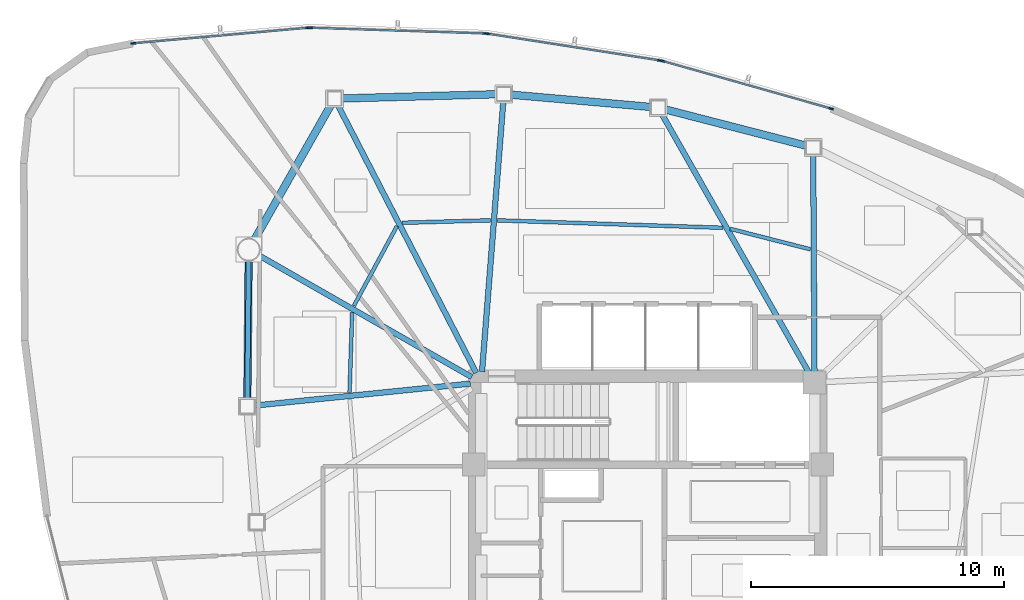
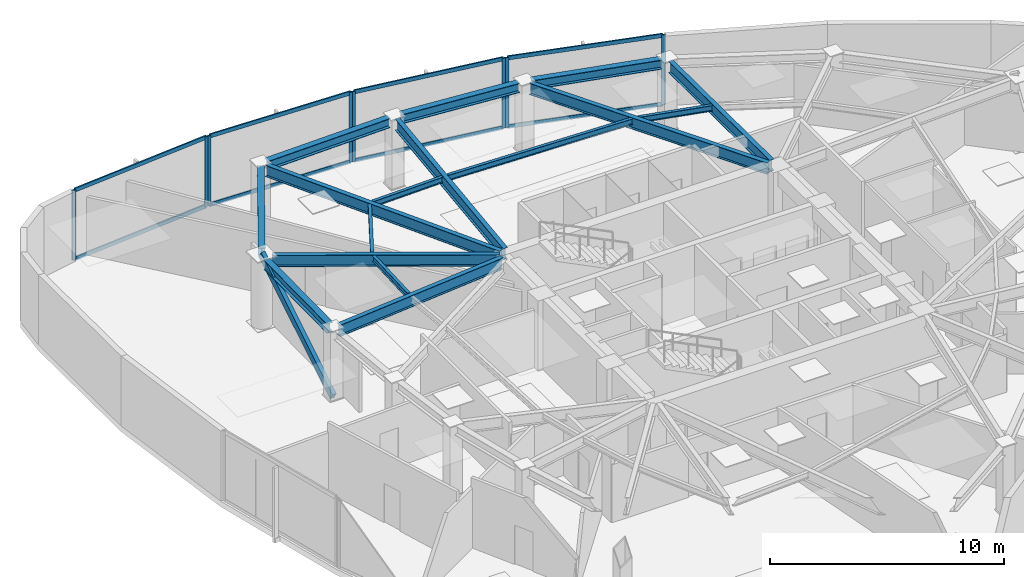
# One storey, part 6 of 13: 17 members, 16 beams, 4 elements without a shape of their own.
"""IFC4 building model written with IfcOpenShell, lengths in metres."""

import ifcopenshell
import ifcopenshell.guid

model = None  # the IFC model being written
_history = None  # IfcOwnerHistory: only IFC2X3 demands one
_inside = {}  # id of a spatial element -> (the spatial element, [elements in it])
_under = {}  # id of a project, library or spatial element -> (it, [spatial elements below it])
_declared = {}  # id of a project -> (the project, [libraries it declares])
_typed = {}  # id of a type object -> (the type object, [elements of that type])
_made_of = {}  # id of a material, layer set ... -> (it, [elements and type objects made of it])


def new_model(schema):
    """Start an empty IFC model of exactly this schema.

    Asked for "IFC4X3", IfcOpenShell would pick the latest addendum, in which some entities
    have other attributes; the version numbers below select the first issue.
    IFC2X3 requires an IfcOwnerHistory on every rooted entity: one is made here for all.
    """
    global model, _history
    if schema == "IFC4X3":
        model = ifcopenshell.file(schema_version=(4, 3, 0, 0))
    else:
        model = ifcopenshell.file(schema=schema)
    _inside.clear()
    _under.clear()
    _declared.clear()
    _typed.clear()
    _made_of.clear()
    _history = None
    if model.schema == "IFC2X3":
        org = make("IfcOrganization", Name="unknown")
        user = make(
            "IfcPersonAndOrganization",
            ThePerson=make("IfcPerson", FamilyName="unknown"),
            TheOrganization=org,
        )
        app = make(
            "IfcApplication",
            ApplicationDeveloper=org,
            Version="unknown",
            ApplicationFullName="unknown",
            ApplicationIdentifier="unknown",
        )
        _history = make(
            "IfcOwnerHistory",
            OwningUser=user,
            OwningApplication=app,
            ChangeAction="ADDED",
            CreationDate=0,
        )
    return model


def make(cls, **values):
    """One entity of the class cls with the attributes given. An attribute that is None is left unset."""
    return model.create_entity(
        cls, **{name: value for name, value in values.items() if value is not None}
    )


def rooted(cls, **values):
    """An entity with a GlobalId (a new one), such as an element, a storey or a relation."""
    return make(cls, GlobalId=ifcopenshell.guid.new(), OwnerHistory=_history, **values)


def si_unit(unit_type, name, prefix=None):
    """IfcSIUnit, for example si_unit("LENGTHUNIT", "METRE", prefix="MILLI")."""
    return make("IfcSIUnit", UnitType=unit_type, Prefix=prefix, Name=name)


def assignment(units):
    """IfcUnitAssignment: the units of a project."""
    return None if units is None else make("IfcUnitAssignment", Units=units)


def point(xyz):
    """IfcCartesianPoint."""
    return None if xyz is None else make("IfcCartesianPoint", Coordinates=xyz)


def direction(xyz):
    """IfcDirection."""
    return None if xyz is None else make("IfcDirection", DirectionRatios=xyz)


def frame(location, z_axis=None, x_axis=None):
    """IfcAxis2Placement3D, a coordinate frame: its origin and axes. An axis left out is left unset."""
    return make(
        "IfcAxis2Placement3D",
        Location=point(location),
        Axis=direction(z_axis),
        RefDirection=direction(x_axis),
    )


def frame_2d(location, x_axis=None):
    """IfcAxis2Placement2D, a coordinate frame in the plane: its origin and x axis."""
    return make(
        "IfcAxis2Placement2D", Location=point(location), RefDirection=direction(x_axis)
    )


def origin():
    """The frame at (0, 0, 0) with its axes left unset."""
    return frame((0.0, 0.0, 0.0))


def origin_2d():
    """The frame at (0, 0) in the plane with its x axis left unset."""
    return frame_2d((0.0, 0.0))


def place(relative_to, where):
    """IfcLocalPlacement: puts the frame where relative to a parent placement (None: the world)."""
    return make(
        "IfcLocalPlacement", PlacementRelTo=relative_to, RelativePlacement=where
    )


def context(
    kind, dimensions, precision=None, world=None, true_north=None, identifier=None
):
    """IfcGeometricRepresentationContext, for example the 3D "Model" context."""
    return make(
        "IfcGeometricRepresentationContext",
        ContextIdentifier=identifier,
        ContextType=kind,
        CoordinateSpaceDimension=dimensions,
        Precision=precision,
        WorldCoordinateSystem=world,
        TrueNorth=true_north,
    )


def subcontext(parent, identifier, kind, view, scale=None):
    """IfcGeometricRepresentationSubContext, for example "Body" below "Model"."""
    return make(
        "IfcGeometricRepresentationSubContext",
        ContextIdentifier=identifier,
        ContextType=kind,
        ParentContext=parent,
        TargetScale=scale,
        TargetView=view,
    )


def project(units=None, contexts=None):
    """IfcProject with its units and contexts."""
    return rooted(
        "IfcProject",
        Name="project",
        RepresentationContexts=contexts,
        UnitsInContext=assignment(units),
    )


def spatial(cls, under=None, at=None, **own):
    """A site, building, storey or space (cls), placed at a placement, below another one or the project."""
    s = rooted(cls, ObjectPlacement=at, **own)
    if under is not None:
        _under.setdefault(under.id(), (under, []))[1].append(s)
    return s


def profile(cls, at=None, kind="AREA", **sizes):
    """A parametric profile (cls). Its sizes go by their IFC names, for example OverallWidth=200.0."""
    return make(cls, ProfileType=kind, Position=at, **sizes)


def hollow_rectangle(**sizes):
    """IfcRectangleHollowProfileDef."""
    return profile("IfcRectangleHollowProfileDef", **sizes)


def i_section(**sizes):
    """IfcIShapeProfileDef."""
    return profile("IfcIShapeProfileDef", **sizes)


def extrude(swept, where, along, depth):
    """IfcExtrudedAreaSolid: the profile swept, set in the frame where, extruded along a direction by depth."""
    return make(
        "IfcExtrudedAreaSolid",
        SweptArea=swept,
        Position=where,
        ExtrudedDirection=direction(along),
        Depth=depth,
    )


def shape(context_of_items, identifier, shape_type, items):
    """IfcShapeRepresentation: the items that make up one representation, for example the "Body"."""
    return make(
        "IfcShapeRepresentation",
        ContextOfItems=context_of_items,
        RepresentationIdentifier=identifier,
        RepresentationType=shape_type,
        Items=items,
    )


def source(mapping_origin, context_of_items, identifier, shape_type, items):
    """IfcRepresentationMap: a shape defined once, which mapped items show again and again."""
    return make(
        "IfcRepresentationMap",
        MappingOrigin=mapping_origin,
        MappedRepresentation=shape(context_of_items, identifier, shape_type, items),
    )


def transform(
    local_origin,
    x_axis=None,
    y_axis=None,
    z_axis=None,
    scale=None,
    scale2=None,
    scale3=None,
    uniform=True,
):
    """IfcCartesianTransformationOperator3D, or its non-uniform kind. x_axis, y_axis, z_axis: its Axis1, 2, 3."""
    if uniform:
        return make(
            "IfcCartesianTransformationOperator3D",
            Axis1=direction(x_axis),
            Axis2=direction(y_axis),
            LocalOrigin=point(local_origin),
            Scale=scale,
            Axis3=direction(z_axis),
        )
    return make(
        "IfcCartesianTransformationOperator3DnonUniform",
        Axis1=direction(x_axis),
        Axis2=direction(y_axis),
        LocalOrigin=point(local_origin),
        Scale=scale,
        Axis3=direction(z_axis),
        Scale2=scale2,
        Scale3=scale3,
    )


def mapped(mapping_source, mapping_target):
    """IfcMappedItem: shows the shape of a source again, moved by a transform."""
    return make(
        "IfcMappedItem", MappingSource=mapping_source, MappingTarget=mapping_target
    )


def material(Name=None, Category=None):
    """IfcMaterial."""
    return make("IfcMaterial", Name=Name, Category=Category)


def layer(
    of_material, thickness, ventilated=None, Name=None, Category=None, Priority=None
):
    """IfcMaterialLayer: one layer of a wall or slab, of a material (None: an air gap)."""
    return make(
        "IfcMaterialLayer",
        Material=of_material,
        LayerThickness=thickness,
        IsVentilated=ventilated,
        Name=Name,
        Category=Category,
        Priority=Priority,
    )


def layer_set(layers, Name=None):
    """IfcMaterialLayerSet."""
    return make("IfcMaterialLayerSet", MaterialLayers=layers, LayerSetName=Name)


def material_profile(
    of_material, cross_section, Name=None, Category=None, Priority=None
):
    """IfcMaterialProfile: a cross section and its material."""
    return make(
        "IfcMaterialProfile",
        Name=Name,
        Material=of_material,
        Profile=cross_section,
        Priority=Priority,
        Category=Category,
    )


def profile_set(profiles, Name=None, composite=None):
    """IfcMaterialProfileSet."""
    return make(
        "IfcMaterialProfileSet",
        Name=Name,
        MaterialProfiles=profiles,
        CompositeProfile=composite,
    )


def made_of(thing, what):
    """Note that an element or type object is made of a material, layer set ...; save() writes the relation."""
    if what is not None:
        _made_of.setdefault(what.id(), (what, []))[1].append(thing)
    return thing


def type_object(cls, material=None, **own):
    """A type object (cls), such as IfcWallType, which elements share."""
    return made_of(rooted(cls, **own), material)


def type_shapes(of_type, sources):
    """Give a type object the sources (RepresentationMaps) that its elements show as mapped items."""
    of_type.RepresentationMaps = sources


def element(
    cls,
    number,
    at=None,
    inside=None,
    cuts=None,
    type_object=None,
    material=None,
    context=None,
    identifier="Body",
    shape_type=None,
    held_by="IfcProductDefinitionShape",
    body=None,
    shapes=None,
    **own,
):
    """One element of the class cls, such as IfcWall. Its Tag is "e" and its number.

    at: its placement. inside: the storey or other place that contains it. cuts: it is an
    opening in that element (IfcRelVoidsElement). A single representation is given by context,
    identifier, shape_type and body (its items); several are given by shapes. held_by: the class
    of the entity that holds the representations. save() writes the other relations.
    """
    e = rooted(cls, Tag="e%d" % number, ObjectPlacement=at, **own)
    if body is not None:
        shapes = [shape(context, identifier, shape_type, body)]
    if shapes is not None:
        e.Representation = make(held_by, Representations=shapes)
    if inside is not None:
        _inside.setdefault(inside.id(), (inside, []))[1].append(e)
    if cuts is not None:
        rooted(
            "IfcRelVoidsElement", RelatingBuildingElement=cuts, RelatedOpeningElement=e
        )
    if type_object is not None:
        _typed.setdefault(type_object.id(), (type_object, []))[1].append(e)
    return made_of(e, material)


def aggregate(whole, parts):
    """IfcRelAggregates: a whole, such as a stair, and the parts it consists of."""
    return rooted("IfcRelAggregates", RelatingObject=whole, RelatedObjects=parts)


def save(model, path):
    """Write the relations noted so far, then the file.

    IfcRelAggregates (storeys below a building ...), IfcRelContainedInSpatialStructure (elements
    in a storey), IfcRelDefinesByType, IfcRelAssociatesMaterial and IfcRelDeclares: one each for
    every whole, place, type object, material and project.
    """
    for whole, parts in _under.values():
        aggregate(whole, parts)
    for where, things in _inside.values():
        rooted(
            "IfcRelContainedInSpatialStructure",
            RelatedElements=things,
            RelatingStructure=where,
        )
    for kind, things in _typed.values():
        rooted("IfcRelDefinesByType", RelatedObjects=things, RelatingType=kind)
    for what, things in _made_of.values():
        rooted("IfcRelAssociatesMaterial", RelatedObjects=things, RelatingMaterial=what)
    for by, libraries in _declared.values():
        rooted("IfcRelDeclares", RelatingContext=by, RelatedDefinitions=libraries)
    model.write(path)


model = new_model("IFC4")

# Units and contexts
model_context = context("Model", 3, precision=1e-05, world=origin(), true_north=direction((0.0, 1.0)))
body_context = subcontext(model_context, "Body", "Model", "MODEL_VIEW")
ifc_project = project(units=[si_unit("LENGTHUNIT", "METRE"), si_unit("AREAUNIT", "SQUARE_METRE"), si_unit("VOLUMEUNIT", "CUBIC_METRE"), si_unit("PLANEANGLEUNIT", "RADIAN"), si_unit("MASSUNIT", "GRAM", prefix="KILO")], contexts=[model_context])

# Site, building, storey
site_placement = place(None, origin())
site = spatial("IfcSite", under=ifc_project, at=site_placement, CompositionType="ELEMENT")
building_placement = place(site_placement, origin())
building = spatial("IfcBuilding", under=site, at=building_placement, Name="Tavelor Broadcast Tower", CompositionType="ELEMENT")
storey_placement = place(building_placement, frame((0.0, 0.0, 241.89990234375)))
storey = spatial("IfcBuildingStorey", under=building, at=storey_placement, Name="L57", CompositionType="ELEMENT", Elevation=241.89990234375)

# Beams
ifc_material_1 = material(Name="Steel S355", Category="steel")
ifc_material_profile_1 = material_profile(ifc_material_1, i_section(OverallWidth=0.14990234375, OverallDepth=0.300048828125, WebThickness=0.007080078125, FlangeThickness=0.0107421875, at=origin_2d()), Name="IPE 300")
ifc_profile_set_1 = profile_set([ifc_material_profile_1], Name="Steel S355")
beam_type_1 = type_object("IfcBeamType", Name="Composite Floor Joist T5 IPE 300", PredefinedType="JOIST", material=ifc_profile_set_1)
beam_1_placement = place(storey_placement, frame((38.289794921875, 53.978515625, 3.5), z_axis=(-0.031859396157, -0.999492360589, 0.0), x_axis=(0.999492360589, -0.031859396157, 0.0)))
element("IfcBeam", 1, at=beam_1_placement, inside=storey, type_object=beam_type_1, Name="L57 Secondary Composite Floor Joist 01", PredefinedType="JOIST", context=body_context, shape_type="SweptSolid", body=[
    extrude(i_section(OverallWidth=0.14990234375, OverallDepth=0.300048828125, WebThickness=0.007080078125, FlangeThickness=0.0107421875, at=origin_2d()), origin(), (0.0, 0.0, 1.0), 3.172607421875),
])
beam_2_placement = place(storey_placement, frame((56.434326171875, 56.4736328125, 3.5), z_axis=(-0.968901023903, 0.247448592399, 0.0), x_axis=(-0.247448592399, -0.968901023903, 0.0)))
element("IfcBeam", 2, at=beam_2_placement, inside=storey, type_object=beam_type_1, Name="L57 Secondary Composite Floor Joist 15", PredefinedType="JOIST", context=body_context, shape_type="SweptSolid", body=[
    extrude(i_section(OverallWidth=0.14990234375, OverallDepth=0.300048828125, WebThickness=0.007080078125, FlangeThickness=0.0107421875, at=origin_2d()), origin(), (0.0, 0.0, 1.0), 3.283447265625),
])
beam_3_placement = place(storey_placement, frame((52.978515625, 57.3251953125, 3.5), z_axis=(-0.999455526468, 0.032994705837, 0.0), x_axis=(-0.032994705837, -0.999455526468, 0.0)))
element("IfcBeam", 3, at=beam_3_placement, inside=storey, type_object=beam_type_1, Name="L57 Secondary Composite Floor Joist 16", PredefinedType="JOIST", context=body_context, shape_type="SweptSolid", body=[
    extrude(i_section(OverallWidth=0.14990234375, OverallDepth=0.300048828125, WebThickness=0.007080078125, FlangeThickness=0.0107421875, at=origin_2d()), origin(), (0.0, 0.0, 1.0), 8.9384765625),
])
beam_4_placement = place(storey_placement, frame((43.76611328125, 57.620849609375, 3.5), z_axis=(-0.999611398275, -0.027875660324, 0.0), x_axis=(0.027875660324, -0.999611398275, 0.0)))
element("IfcBeam", 4, at=beam_4_placement, inside=storey, type_object=beam_type_1, Name="L57 Secondary Composite Floor Joist 17", PredefinedType="JOIST", context=body_context, shape_type="SweptSolid", body=[
    extrude(i_section(OverallWidth=0.14990234375, OverallDepth=0.300048828125, WebThickness=0.007080078125, FlangeThickness=0.0107421875, at=origin_2d()), origin(), (0.0, 0.0, 1.0), 3.49462890625),
])
beam_5_placement = place(storey_placement, frame((40.0673828125, 57.39697265625, 3.5), z_axis=(-0.475640833171, -0.879639584046, 0.0), x_axis=(0.879639584046, -0.475640833171, 0.0)))
element("IfcBeam", 5, at=beam_5_placement, inside=storey, type_object=beam_type_1, Name="L57 Secondary Composite Floor Joist 18", PredefinedType="JOIST", context=body_context, shape_type="SweptSolid", body=[
    extrude(i_section(OverallWidth=0.14990234375, OverallDepth=0.300048828125, WebThickness=0.007080078125, FlangeThickness=0.0107421875, at=origin_2d()), origin(), (0.0, 0.0, 1.0), 3.58837890625),
])
ifc_material_profile_2 = material_profile(ifc_material_1, i_section(OverallWidth=0.300048828125, OverallDepth=0.489990234375, WebThickness=0.011962890625, FlangeThickness=0.02294921875, at=origin_2d()), Name="HEA 500")
ifc_profile_set_2 = profile_set([ifc_material_profile_2], Name="Steel S355")
beam_type_2 = type_object("IfcBeamType", Name="Perimeter Spandrel Beam T5 HEA 500", PredefinedType="SPANDREL", material=ifc_profile_set_2)
beam_6_placement = place(storey_placement, frame((34.192138671875, 56.021240234375, 3.405029296875), z_axis=(-0.009538233347, -0.999954510018, 0.0), x_axis=(0.999954510018, -0.009538233347, 0.0)))
element("IfcBeam", 6, at=beam_6_placement, inside=storey, type_object=beam_type_2, Name="L57 Framed-Tube Ring Spandrel 01", PredefinedType="SPANDREL", context=body_context, shape_type="SweptSolid", body=[
    extrude(i_section(OverallWidth=0.300048828125, OverallDepth=0.489990234375, WebThickness=0.011962890625, FlangeThickness=0.02294921875, at=origin_2d()), origin(), (0.0, 0.0, 1.0), 5.4775390625),
])
beam_7_placement = place(storey_placement, frame((56.2666015625, 60.575927734375, 3.405029296875), z_axis=(-0.968398561847, 0.249407749304, 0.0), x_axis=(-0.249407749304, -0.968398561847, 0.0)))
element("IfcBeam", 7, at=beam_7_placement, inside=storey, type_object=beam_type_2, Name="L57 Framed-Tube Ring Spandrel 15", PredefinedType="SPANDREL", context=body_context, shape_type="SweptSolid", body=[
    extrude(i_section(OverallWidth=0.300048828125, OverallDepth=0.489990234375, WebThickness=0.011962890625, FlangeThickness=0.02294921875, at=origin_2d()), origin(), (0.0, 0.0, 1.0), 5.7626953125),
])
beam_8_placement = place(storey_placement, frame((50.120361328125, 62.110107421875, 3.405029296875), z_axis=(-0.996165524703, 0.087488555787, 0.0), x_axis=(-0.087488555787, -0.996165524703, 0.0)))
element("IfcBeam", 8, at=beam_8_placement, inside=storey, type_object=beam_type_2, Name="L57 Framed-Tube Ring Spandrel 16", PredefinedType="SPANDREL", context=body_context, shape_type="SweptSolid", body=[
    extrude(i_section(OverallWidth=0.300048828125, OverallDepth=0.489990234375, WebThickness=0.011962890625, FlangeThickness=0.02294921875, at=origin_2d()), origin(), (0.0, 0.0, 1.0), 5.555908203125),
])
beam_9_placement = place(storey_placement, frame((44.010986328125, 62.613525390625, 3.405029296875), z_axis=(-0.999631563069, -0.027142920174, 0.0), x_axis=(0.027142920174, -0.999631563069, 0.0)))
element("IfcBeam", 9, at=beam_9_placement, inside=storey, type_object=beam_type_2, Name="L57 Framed-Tube Ring Spandrel 17", PredefinedType="SPANDREL", context=body_context, shape_type="SweptSolid", body=[
    extrude(i_section(OverallWidth=0.300048828125, OverallDepth=0.489990234375, WebThickness=0.011962890625, FlangeThickness=0.02294921875, at=origin_2d()), origin(), (0.0, 0.0, 1.0), 6.13427734375),
])
beam_10_placement = place(storey_placement, frame((37.44873046875, 62.188720703125, 3.405029296875), z_axis=(-0.49368262273, -0.869642149401, 0.0), x_axis=(0.869642149401, -0.49368262273, 0.0)))
element("IfcBeam", 10, at=beam_10_placement, inside=storey, type_object=beam_type_2, Name="L57 Framed-Tube Ring Spandrel 18", PredefinedType="SPANDREL", context=body_context, shape_type="SweptSolid", body=[
    extrude(i_section(OverallWidth=0.300048828125, OverallDepth=0.489990234375, WebThickness=0.011962890625, FlangeThickness=0.02294921875, at=origin_2d()), origin(), (0.0, 0.0, 1.0), 6.14892578125),
])

# Member
ifc_material_profile_3 = material_profile(ifc_material_1, hollow_rectangle(XDim=0.199951171875, YDim=0.39990234375, WallThickness=0.01611328125, at=origin_2d()), Name="RHS 400x200x16")
ifc_profile_set_3 = profile_set([ifc_material_profile_3], Name="Steel S355")
member_type_1 = type_object("IfcMemberType", Name="Perimeter Tube Brace T5 RHS 400x200x16", PredefinedType="BRACE", material=ifc_profile_set_3)
member_1_placement = place(storey_placement, frame((34.13720703125, 50.255859375, 0.0), z_axis=(0.008207584485, 0.861864202231, 0.507072709254), x_axis=(-0.999954658748, 0.009522628184, 0.0)))
element("IfcMember", 11, at=member_1_placement, inside=storey, type_object=member_type_1, Name="L57 Corner Tube Diagonal Brace 1", PredefinedType="BRACE", context=body_context, shape_type="SweptSolid", body=[
    extrude(hollow_rectangle(XDim=0.199951171875, YDim=0.39990234375, WallThickness=0.01611328125, at=origin_2d()), origin(), (0.0, 0.0, 1.0), 7.198486328125),
])

# Beams
ifc_material_profile_4 = material_profile(ifc_material_1, i_section(OverallWidth=0.219970703125, OverallDepth=0.60009765625, WebThickness=0.011962890625, FlangeThickness=0.01904296875, at=origin_2d()), Name="IPE 600")
ifc_profile_set_4 = profile_set([ifc_material_profile_4], Name="Steel S355")
beam_type_3 = type_object("IfcBeamType", Name="Radial Floor Girder T5 IPE 600", PredefinedType="BEAM", material=ifc_profile_set_4)
beam_11_placement = place(storey_placement, frame((43.02490234375, 51.414306640625, 3.35009765625), z_axis=(-0.868210713595, 0.496195683979, 0.0), x_axis=(-0.496195683979, -0.868210713595, 0.0)))
element("IfcBeam", 12, at=beam_11_placement, inside=storey, type_object=beam_type_3, Name="L57 Radial Primary Floor Girder 01", PredefinedType="BEAM", context=body_context, shape_type="SweptSolid", body=[
    extrude(i_section(OverallWidth=0.219970703125, OverallDepth=0.60009765625, WebThickness=0.011962890625, FlangeThickness=0.01904296875, at=origin_2d()), origin(), (0.0, 0.0, 1.0), 9.729736328125),
])
beam_12_placement = place(storey_placement, frame((42.97021484375, 51.15625, 3.35009765625), z_axis=(-0.994846025553, -0.101397166829, 0.0), x_axis=(0.101397166829, -0.994846025553, 0.0)))
element("IfcBeam", 13, at=beam_12_placement, inside=storey, type_object=beam_type_3, Name="L57 Radial Primary Floor Girder 02", PredefinedType="BEAM", context=body_context, shape_type="SweptSolid", body=[
    extrude(i_section(OverallWidth=0.219970703125, OverallDepth=0.60009765625, WebThickness=0.011962890625, FlangeThickness=0.01904296875, at=origin_2d()), origin(), (0.0, 0.0, 1.0), 8.5908203125),
])
beam_13_placement = place(storey_placement, frame((56.597412109375, 51.632080078125, 3.35009765625), z_axis=(-0.005830390092, 0.999983003131, 0.0), x_axis=(-0.999983003131, -0.005830390092, 0.0)))
element("IfcBeam", 14, at=beam_13_placement, inside=storey, type_object=beam_type_3, Name="L57 Radial Primary Floor Girder 15", PredefinedType="BEAM", context=body_context, shape_type="SweptSolid", body=[
    extrude(i_section(OverallWidth=0.219970703125, OverallDepth=0.60009765625, WebThickness=0.011962890625, FlangeThickness=0.01904296875, at=origin_2d()), origin(), (0.0, 0.0, 1.0), 8.584228515625),
])
beam_14_placement = place(storey_placement, frame((56.386474609375, 51.575439453125, 3.35009765625), z_axis=(-0.49450754608, 0.869173335342, 0.0), x_axis=(-0.869173335342, -0.49450754608, 0.0)))
element("IfcBeam", 15, at=beam_14_placement, inside=storey, type_object=beam_type_3, Name="L57 Radial Primary Floor Girder 16", PredefinedType="BEAM", context=body_context, shape_type="SweptSolid", body=[
    extrude(i_section(OverallWidth=0.219970703125, OverallDepth=0.60009765625, WebThickness=0.011962890625, FlangeThickness=0.01904296875, at=origin_2d()), origin(), (0.0, 0.0, 1.0), 11.803466796875),
])
beam_15_placement = place(storey_placement, frame((43.433837890625, 51.630615234375, 3.35009765625), z_axis=(0.078449146994, 0.996918116666, 0.0), x_axis=(-0.996918116666, 0.078449146994, 0.0)))
element("IfcBeam", 16, at=beam_15_placement, inside=storey, type_object=beam_type_3, Name="L57 Radial Primary Floor Girder 17", PredefinedType="BEAM", context=body_context, shape_type="SweptSolid", body=[
    extrude(i_section(OverallWidth=0.219970703125, OverallDepth=0.60009765625, WebThickness=0.011962890625, FlangeThickness=0.01904296875, at=origin_2d()), origin(), (0.0, 0.0, 1.0), 10.73681640625),
])
beam_16_placement = place(storey_placement, frame((43.20166015625, 51.583740234375, 3.35009765625), z_axis=(-0.459155708723, 0.888355804364, 0.0), x_axis=(-0.888355804364, -0.459155708723, 0.0)))
element("IfcBeam", 17, at=beam_16_placement, inside=storey, type_object=beam_type_3, Name="L57 Radial Primary Floor Girder 18", PredefinedType="BEAM", context=body_context, shape_type="SweptSolid", body=[
    extrude(i_section(OverallWidth=0.219970703125, OverallDepth=0.60009765625, WebThickness=0.011962890625, FlangeThickness=0.01904296875, at=origin_2d()), origin(), (0.0, 0.0, 1.0), 11.931640625),
])

# Curtain wall, members
ifc_material_2 = material(Name="Architectural Anodized Aluminium", Category="aluminium")
ifc_layer = layer(ifc_material_2, 0.199951171875)
ifc_layer_set = layer_set([ifc_layer], Name="Architectural Anodized Aluminium")
curtain_wall_type = type_object("IfcCurtainWallType", Name="Tower High-Zone Triple-Glazed Curtain Wall CW04", PredefinedType="NOTDEFINED", material=ifc_layer_set)
curtain_wall_1_placement = place(storey_placement, origin())
curtain_wall_1 = element("IfcCurtainWall", 18, at=curtain_wall_1_placement, inside=storey, type_object=curtain_wall_type, Name="L57 Curtain Wall CW04 Run 621", PredefinedType="NOTDEFINED")
ifc_material_profile_5 = material_profile(ifc_material_2, hollow_rectangle(XDim=0.070068359375, YDim=0.199951171875, WallThickness=0.02197265625, at=origin_2d()), Name="RHS 70x200x22")
ifc_profile_set_5 = profile_set([ifc_material_profile_5], Name="Architectural Anodized Aluminium")
member_type_2 = type_object("IfcMemberType", Name="CW04 Extruded Aluminium Mullion 70x200", PredefinedType="MULLION", material=ifc_profile_set_5)
shared_shape_1 = source(origin(), body_context, "Body", "SweptSolid", [
    extrude(hollow_rectangle(XDim=0.070068359375, YDim=0.199951171875, WallThickness=0.02197265625, at=origin_2d()), origin(), (0.0, 0.0, 1.0), 3.650146484375),
])
type_shapes(member_type_2, [shared_shape_1])
member_2_placement = place(storey_placement, frame((57.2490234375, 62.042724609375, 0.0), z_axis=(0.0, 0.0, 1.0), x_axis=(-0.271873628758, -0.962332962122, 0.0)))
member_2 = element("IfcMember", 19, at=member_2_placement, type_object=member_type_2, Name="CW04 mullion 1", PredefinedType="MULLION", context=body_context, shape_type="MappedRepresentation", body=[
    mapped(shared_shape_1, transform((0.0, 0.0, 0.0), scale=1.0)),
])
member_3_placement = place(storey_placement, frame((50.577880859375, 63.927490234375, 0.0), z_axis=(0.0, 0.0, 1.0), x_axis=(-0.271873628758, -0.962332962122, 0.0)))
member_3 = element("IfcMember", 20, at=member_3_placement, type_object=member_type_2, Name="CW04 mullion 2", PredefinedType="MULLION", context=body_context, shape_type="MappedRepresentation", body=[
    mapped(shared_shape_1, transform((0.0, 0.0, 0.0), scale=1.0)),
])

curtain_wall_2_placement = place(storey_placement, origin())
curtain_wall_2 = element("IfcCurtainWall", 21, at=curtain_wall_2_placement, inside=storey, type_object=curtain_wall_type, Name="L57 Curtain Wall CW04 Run 622", PredefinedType="NOTDEFINED")
member_4_placement = place(storey_placement, frame((50.48046875, 63.94873046875, 0.0), z_axis=(0.0, 0.0, 1.0), x_axis=(-0.153408892908, -0.98816279609, 0.0)))
member_4 = element("IfcMember", 22, at=member_4_placement, type_object=member_type_2, Name="CW04 mullion 1", PredefinedType="MULLION", context=body_context, shape_type="MappedRepresentation", body=[
    mapped(shared_shape_1, transform((0.0, 0.0, 0.0), scale=1.0)),
])
member_5_placement = place(storey_placement, frame((43.64501953125, 65.010009765625, 0.0), z_axis=(0.0, 0.0, 1.0), x_axis=(-0.153408892908, -0.98816279609, 0.0)))
member_5 = element("IfcMember", 23, at=member_5_placement, type_object=member_type_2, Name="CW04 mullion 2", PredefinedType="MULLION", context=body_context, shape_type="MappedRepresentation", body=[
    mapped(shared_shape_1, transform((0.0, 0.0, 0.0), scale=1.0)),
])

curtain_wall_3_placement = place(storey_placement, origin())
curtain_wall_3 = element("IfcCurtainWall", 24, at=curtain_wall_3_placement, inside=storey, type_object=curtain_wall_type, Name="L57 Curtain Wall CW04 Run 623", PredefinedType="NOTDEFINED")
member_6_placement = place(storey_placement, frame((43.545654296875, 65.01904296875, 0.0), z_axis=(0.0, 0.0, 1.0), x_axis=(-0.032702949695, -0.99946511549, 0.0)))
member_6 = element("IfcMember", 25, at=member_6_placement, type_object=member_type_2, Name="CW04 mullion 1", PredefinedType="MULLION", context=body_context, shape_type="MappedRepresentation", body=[
    mapped(shared_shape_1, transform((0.0, 0.0, 0.0), scale=1.0)),
])
member_7_placement = place(storey_placement, frame((36.63232421875, 65.245361328125, 0.0), z_axis=(0.0, 0.0, 1.0), x_axis=(-0.032702949695, -0.99946511549, 0.0)))
member_7 = element("IfcMember", 26, at=member_7_placement, type_object=member_type_2, Name="CW04 mullion 2", PredefinedType="MULLION", context=body_context, shape_type="MappedRepresentation", body=[
    mapped(shared_shape_1, transform((0.0, 0.0, 0.0), scale=1.0)),
])

curtain_wall_4_placement = place(storey_placement, origin())
curtain_wall_4 = element("IfcCurtainWall", 27, at=curtain_wall_4_placement, inside=storey, type_object=curtain_wall_type, Name="L57 Curtain Wall CW04 Run 624", PredefinedType="NOTDEFINED")
member_8_placement = place(storey_placement, frame((36.532470703125, 65.24267578125, 0.0), z_axis=(0.0, 0.0, 1.0), x_axis=(0.088489731644, -0.996077089082, 0.0)))
member_8 = element("IfcMember", 28, at=member_8_placement, type_object=member_type_2, Name="CW04 mullion 1", PredefinedType="MULLION", context=body_context, shape_type="MappedRepresentation", body=[
    mapped(shared_shape_1, transform((0.0, 0.0, 0.0), scale=1.0)),
])
member_9_placement = place(storey_placement, frame((29.626708984375, 64.629150390625, 0.0), z_axis=(0.0, 0.0, 1.0), x_axis=(0.088489731644, -0.996077089082, 0.0)))
member_9 = element("IfcMember", 29, at=member_9_placement, type_object=member_type_2, Name="CW04 mullion 2", PredefinedType="MULLION", context=body_context, shape_type="MappedRepresentation", body=[
    mapped(shared_shape_1, transform((0.0, 0.0, 0.0), scale=1.0)),
])

# Member
ifc_material_profile_6 = material_profile(ifc_material_2, hollow_rectangle(XDim=0.070068359375, YDim=0.199951171875, WallThickness=0.02197265625, at=origin_2d()), Name="RHS 70x200x22")
ifc_profile_set_6 = profile_set([ifc_material_profile_6], Name="Architectural Anodized Aluminium")
member_type_3 = type_object("IfcMemberType", Name="CW04 Extruded Aluminium Transom 70x200", PredefinedType="USERDEFINED", material=ifc_profile_set_6)
shared_shape_2 = source(origin(), body_context, "Body", "SweptSolid", [
    extrude(hollow_rectangle(XDim=0.070068359375, YDim=0.199951171875, WallThickness=0.02197265625, at=origin_2d()), origin(), (0.0, 0.0, 1.0), 6.84716796875),
])
member_10_placement = place(storey_placement, frame((50.44580078125, 63.9541015625, 0.03515625), z_axis=(-0.988160113212, 0.153426173311, 0.0), x_axis=(-0.153426173311, -0.988160113212, 0.0)))
member_10 = element("IfcMember", 30, at=member_10_placement, type_object=member_type_3, Name="CW04 transom 1.1", ObjectType="TRANSOM", PredefinedType="USERDEFINED", context=body_context, shape_type="MappedRepresentation", body=[
    mapped(shared_shape_2, transform((0.0, 0.0, 0.0), scale=1.0)),
])

member_11_placement = place(storey_placement, frame((50.44580078125, 63.9541015625, 3.614990234375), z_axis=(-0.988160113212, 0.153426173311, 0.0), x_axis=(-0.153426173311, -0.988160113212, 0.0)))
member_11 = element("IfcMember", 31, at=member_11_placement, type_object=member_type_3, Name="CW04 transom 1.2", ObjectType="TRANSOM", PredefinedType="USERDEFINED", context=body_context, shape_type="MappedRepresentation", body=[
    mapped(shared_shape_2, transform((0.0, 0.0, 0.0), scale=1.0)),
])

aggregate(curtain_wall_2, [member_4, member_5, member_10, member_11])

member_12_placement = place(storey_placement, frame((43.5107421875, 65.020263671875, 0.03515625), z_axis=(-0.999465333369, 0.032696290204, 0.0), x_axis=(-0.032696290204, -0.999465333369, 0.0)))
member_12 = element("IfcMember", 32, at=member_12_placement, type_object=member_type_3, Name="CW04 transom 1.1", ObjectType="TRANSOM", PredefinedType="USERDEFINED", context=body_context, shape_type="MappedRepresentation", body=[
    mapped(shared_shape_2, transform((0.0, 0.0, 0.0), scale=1.0)),
])

member_13_placement = place(storey_placement, frame((43.5107421875, 65.020263671875, 3.614990234375), z_axis=(-0.999465333369, 0.032696290204, 0.0), x_axis=(-0.032696290204, -0.999465333369, 0.0)))
member_13 = element("IfcMember", 33, at=member_13_placement, type_object=member_type_3, Name="CW04 transom 1.2", ObjectType="TRANSOM", PredefinedType="USERDEFINED", context=body_context, shape_type="MappedRepresentation", body=[
    mapped(shared_shape_2, transform((0.0, 0.0, 0.0), scale=1.0)),
])

aggregate(curtain_wall_3, [member_6, member_7, member_12, member_13])

shared_shape_3 = source(origin(), body_context, "Body", "SweptSolid", [
    extrude(hollow_rectangle(XDim=0.070068359375, YDim=0.199951171875, WallThickness=0.02197265625, at=origin_2d()), origin(), (0.0, 0.0, 1.0), 6.86279296875),
])
member_14_placement = place(storey_placement, frame((36.49755859375, 65.239501953125, 0.03515625), z_axis=(-0.996075428959, -0.088508416687, 0.0), x_axis=(0.088508416687, -0.996075428959, 0.0)))
member_14 = element("IfcMember", 34, at=member_14_placement, type_object=member_type_3, Name="CW04 transom 1.1", ObjectType="TRANSOM", PredefinedType="USERDEFINED", context=body_context, shape_type="MappedRepresentation", body=[
    mapped(shared_shape_3, transform((0.0, 0.0, 0.0), scale=1.0)),
])

member_15_placement = place(storey_placement, frame((36.49755859375, 65.239501953125, 3.614990234375), z_axis=(-0.996075428959, -0.088508416687, 0.0), x_axis=(0.088508416687, -0.996075428959, 0.0)))
member_15 = element("IfcMember", 35, at=member_15_placement, type_object=member_type_3, Name="CW04 transom 1.2", ObjectType="TRANSOM", PredefinedType="USERDEFINED", context=body_context, shape_type="MappedRepresentation", body=[
    mapped(shared_shape_3, transform((0.0, 0.0, 0.0), scale=1.0)),
])

aggregate(curtain_wall_4, [member_8, member_9, member_14, member_15])

shared_shape_4 = source(origin(), body_context, "Body", "SweptSolid", [
    extrude(hollow_rectangle(XDim=0.070068359375, YDim=0.199951171875, WallThickness=0.02197265625, at=origin_2d()), origin(), (0.0, 0.0, 1.0), 6.8623046875),
])
type_shapes(member_type_3, [shared_shape_2, shared_shape_3, shared_shape_4])
member_16_placement = place(storey_placement, frame((57.21533203125, 62.05224609375, 0.03515625), z_axis=(-0.962330653135, 0.271881801592, 0.0), x_axis=(-0.271881801592, -0.962330653135, 0.0)))
member_16 = element("IfcMember", 36, at=member_16_placement, type_object=member_type_3, Name="CW04 transom 1.1", ObjectType="TRANSOM", PredefinedType="USERDEFINED", context=body_context, shape_type="MappedRepresentation", body=[
    mapped(shared_shape_4, transform((0.0, 0.0, 0.0), scale=1.0)),
])

member_17_placement = place(storey_placement, frame((57.21533203125, 62.05224609375, 3.614990234375), z_axis=(-0.962330653135, 0.271881801592, 0.0), x_axis=(-0.271881801592, -0.962330653135, 0.0)))
member_17 = element("IfcMember", 37, at=member_17_placement, type_object=member_type_3, Name="CW04 transom 1.2", ObjectType="TRANSOM", PredefinedType="USERDEFINED", context=body_context, shape_type="MappedRepresentation", body=[
    mapped(shared_shape_4, transform((0.0, 0.0, 0.0), scale=1.0)),
])

aggregate(curtain_wall_1, [member_2, member_3, member_16, member_17])

save(model, "model.ifc")
